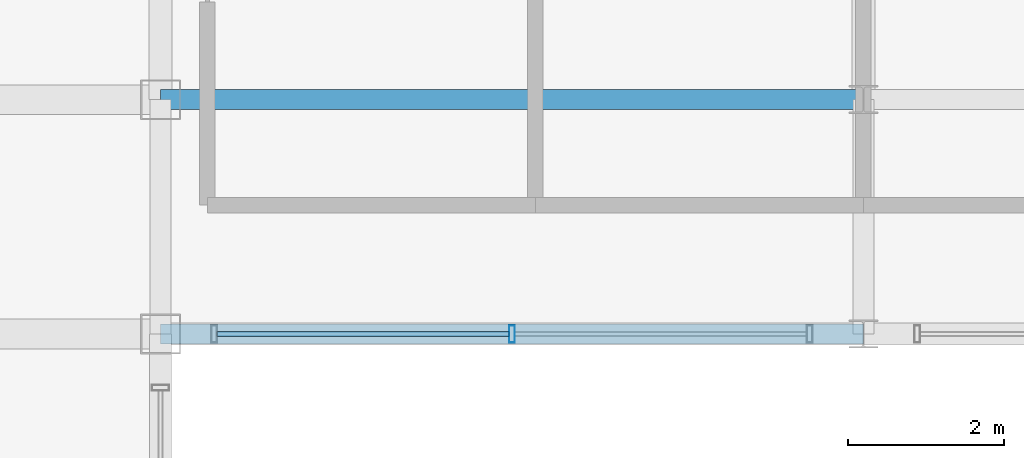
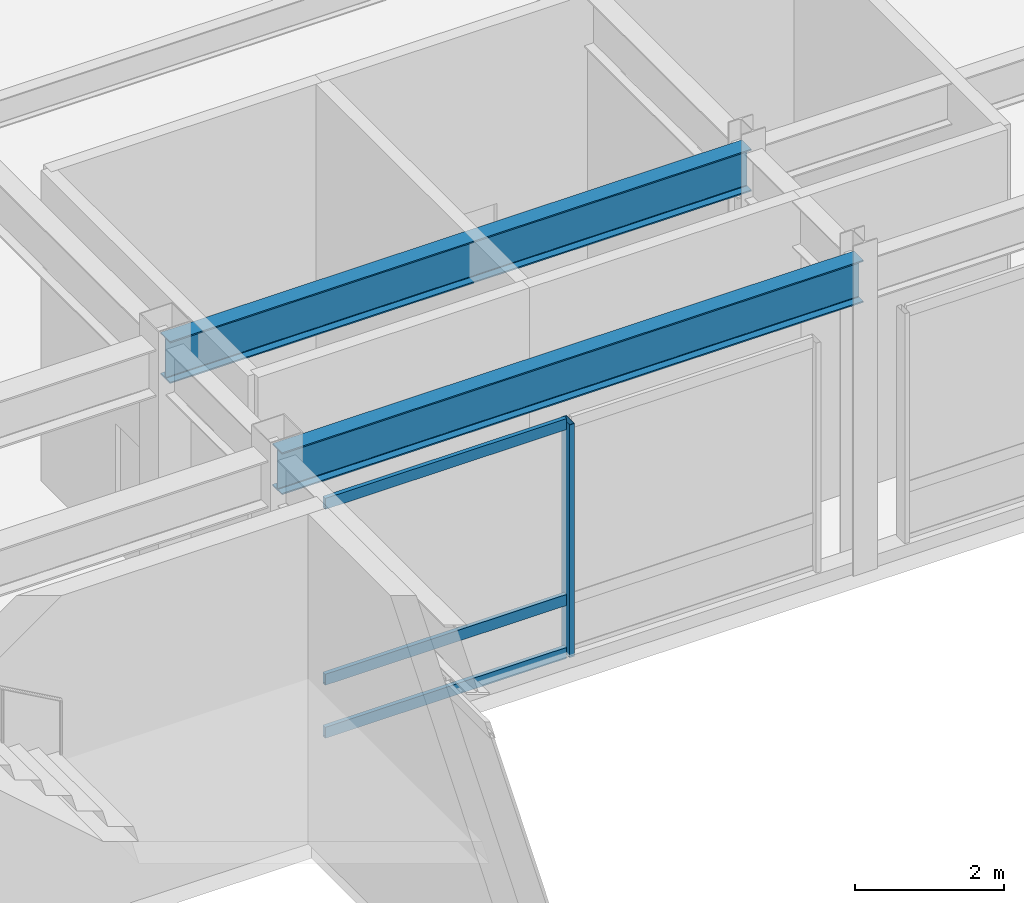
# One storey, part 59 of 100: 4 members, 2 beams, 1 element without a shape of its own.
"""IFC4 building model written with IfcOpenShell, lengths in metres."""

from ifc_helpers import new_model, si_unit, direction, frame, origin, origin_2d, place, context, subcontext, project, spatial, hollow_rectangle, i_section, extrude, material, material_profile, profile_set, type_object, element, aggregate, save


model = new_model("IFC4")

# Units and contexts
model_context = context("Model", 3, precision=1e-05, world=origin(), true_north=direction((0.0, 1.0)))
body_context = subcontext(model_context, "Body", "Model", "MODEL_VIEW")
ifc_project = project(units=[si_unit("LENGTHUNIT", "METRE"), si_unit("AREAUNIT", "SQUARE_METRE"), si_unit("VOLUMEUNIT", "CUBIC_METRE"), si_unit("PLANEANGLEUNIT", "RADIAN"), si_unit("MASSUNIT", "GRAM", prefix="KILO")], contexts=[model_context])

# Site, building, storey
site_placement = place(None, origin())
site = spatial("IfcSite", under=ifc_project, at=site_placement, CompositionType="ELEMENT")
building_placement = place(site_placement, origin())
building = spatial("IfcBuilding", under=site, at=building_placement, Name="Kaldorvane Square Convention Centre", CompositionType="ELEMENT")
storey_placement = place(building_placement, frame((0.0, 0.0, 18.0)))
storey = spatial("IfcBuildingStorey", under=building, at=storey_placement, Name="L03", CompositionType="ELEMENT", Elevation=18.0)

# Beams
ifc_material_1 = material(Name="Steel ASTM A992 Gr. 50", Category="steel")
ifc_material_profile_1 = material_profile(ifc_material_1, i_section(OverallWidth=0.25439453125, OverallDepth=0.6880950927734375, WebThickness=0.0131072998046875, FlangeThickness=0.0211029052734375, FilletRadius=0.01519775390625, at=origin_2d()), Name="W27X102")
ifc_profile_set_1 = profile_set([ifc_material_profile_1], Name="Steel ASTM A992 Gr. 50")
beam_type = type_object("IfcBeamType", Name="BM-GR-W27X102", PredefinedType="BEAM", material=ifc_profile_set_1)
for number, where, z_axis, x_axis, name in (
    (1, (138.0, 81.0, 4.731903076171875), (1.0, 0.0, 0.0), (0.0, 1.0, 0.0), "Primary Girder (L03)"),
    (2, (138.0, 84.0, 4.731903076171875), (1.0, 0.0, 0.0), (0.0, 1.0, 0.0), "Primary Girder (L03)"),
):
    element("IfcBeam", number, at=place(storey_placement, frame(where, z_axis=z_axis, x_axis=x_axis)), inside=storey, type_object=beam_type, Name=name, PredefinedType="BEAM", context=body_context, shape_type="SweptSolid", body=[
        extrude(i_section(OverallWidth=0.25439453125, OverallDepth=0.6880950927734375, WebThickness=0.0131072998046875, FlangeThickness=0.0211029052734375, FilletRadius=0.01519775390625, at=origin_2d()), origin(), (0.0, 0.0, 1.0), 9.0),
    ])

# Curtain wall, members
ifc_material_2 = material(Name="Anodized Aluminum and Low-E Insulated Glazing", Category="aluminium")
curtain_wall_type = type_object("IfcCurtainWallType", Name="CW-PTS-FC-54", PredefinedType="USERDEFINED", material=ifc_material_2)
curtain_wall_placement = place(storey_placement, origin())
curtain_wall = element("IfcCurtainWall", 3, at=curtain_wall_placement, inside=storey, type_object=curtain_wall_type, Name="Curtain Wall CW-08 (L03)", ObjectType="POINT SUPPORTED GLAZING", PredefinedType="USERDEFINED")
ifc_material_profile_2 = material_profile(ifc_material_2, hollow_rectangle(XDim=0.0749969482421875, YDim=0.220001220703125, WallThickness=0.003997802734375, at=origin_2d()), Name="CWM-220X75")
ifc_profile_set_2 = profile_set([ifc_material_profile_2], Name="Anodized Aluminum and Low-E Insulated Glazing")
member_type_1 = type_object("IfcMemberType", Name="CW-MUL-220", PredefinedType="MULLION", material=ifc_profile_set_2)
member_1_placement = place(storey_placement, frame((142.5, 81.0, 0.149993896484375), z_axis=(0.0, 0.0, 1.0), x_axis=(1.0, 0.0, 0.0)))
member_1 = element("IfcMember", 4, at=member_1_placement, type_object=member_type_1, Name="CW-08 mullion 2", PredefinedType="MULLION", context=body_context, shape_type="SweptSolid", body=[
    extrude(hollow_rectangle(XDim=0.0749969482421875, YDim=0.220001220703125, WallThickness=0.003997802734375, at=origin_2d()), origin(), (0.0, 0.0, 1.0), 3.8100128173828125),
])
ifc_material_profile_3 = material_profile(ifc_material_2, hollow_rectangle(XDim=0.06500244140625, YDim=0.17999267578125, WallThickness=0.0034942626953125, at=origin_2d()), Name="CWT-180X65")
ifc_profile_set_3 = profile_set([ifc_material_profile_3], Name="Anodized Aluminum and Low-E Insulated Glazing")
member_type_2 = type_object("IfcMemberType", Name="CW-TRN-180", PredefinedType="USERDEFINED", material=ifc_profile_set_3)
member_2_placement = place(storey_placement, frame((138.72500610351562, 81.0, 0.1824951171875), z_axis=(1.0, 0.0, 0.0), x_axis=(0.0, 1.0, 0.0)))
member_2 = element("IfcMember", 5, at=member_2_placement, type_object=member_type_2, Name="CW-08 transom 1.1", ObjectType="TRANSOM", PredefinedType="USERDEFINED", context=body_context, shape_type="SweptSolid", body=[
    extrude(hollow_rectangle(XDim=0.06500244140625, YDim=0.17999267578125, WallThickness=0.0034942626953125, at=origin_2d()), origin(), (0.0, 0.0, 1.0), 3.73748779296875),
])
member_3_placement = place(storey_placement, frame((138.72500610351562, 81.0, 1.0500030517578125), z_axis=(1.0, 0.0, 0.0), x_axis=(0.0, 1.0, 0.0)))
member_3 = element("IfcMember", 6, at=member_3_placement, type_object=member_type_2, Name="CW-08 transom 1.2", ObjectType="TRANSOM", PredefinedType="USERDEFINED", context=body_context, shape_type="SweptSolid", body=[
    extrude(hollow_rectangle(XDim=0.06500244140625, YDim=0.17999267578125, WallThickness=0.0034942626953125, at=origin_2d()), origin(), (0.0, 0.0, 1.0), 3.73748779296875),
])
member_4_placement = place(storey_placement, frame((138.72500610351562, 81.0, 3.9275054931640625), z_axis=(1.0, 0.0, 0.0), x_axis=(0.0, 1.0, 0.0)))
member_4 = element("IfcMember", 7, at=member_4_placement, type_object=member_type_2, Name="CW-08 transom 1.3", ObjectType="TRANSOM", PredefinedType="USERDEFINED", context=body_context, shape_type="SweptSolid", body=[
    extrude(hollow_rectangle(XDim=0.06500244140625, YDim=0.17999267578125, WallThickness=0.0034942626953125, at=origin_2d()), origin(), (0.0, 0.0, 1.0), 3.73748779296875),
])
aggregate(curtain_wall, [member_1, member_2, member_3, member_4])

save(model, "model.ifc")
